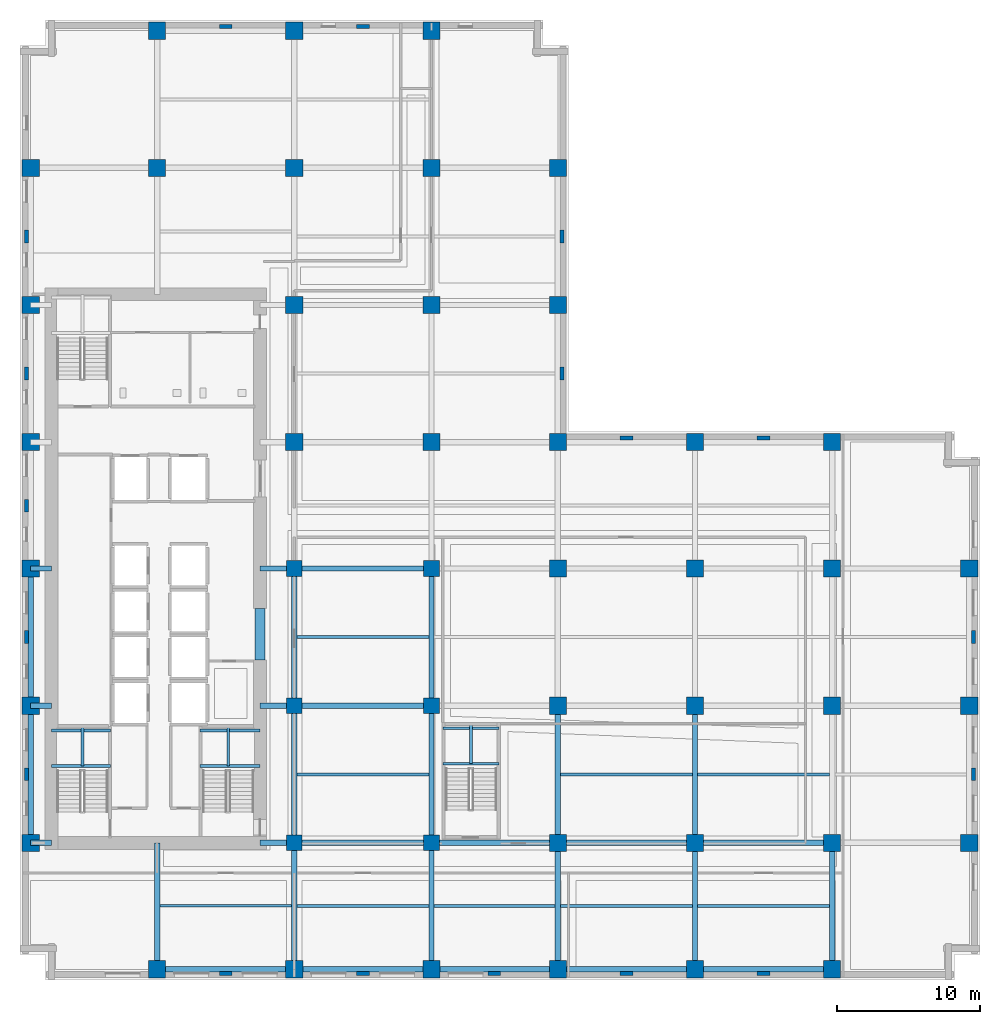
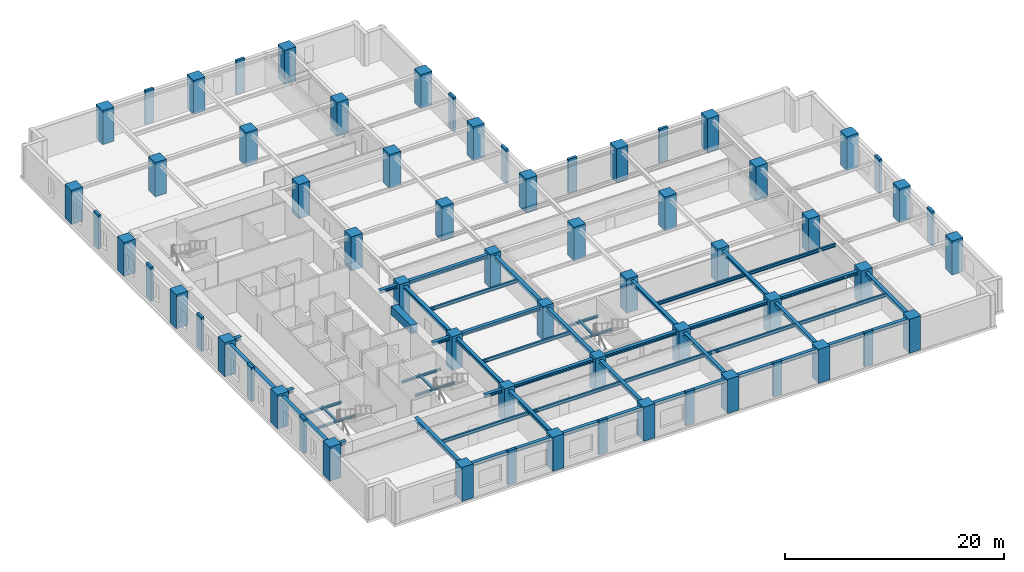
# One storey, part 1 of 13: 63 columns, 50 beams.
"""IFC4 building model written with IfcOpenShell, lengths in metres."""

from ifc_helpers import new_model, si_unit, direction, frame, origin, origin_2d, place, context, subcontext, project, spatial, rectangle, i_section, extrude, material, material_profile, profile_set, type_object, element, save


model = new_model("IFC4")

# Units and contexts
model_context = context("Model", 3, precision=1e-05, world=origin(), true_north=direction((0.0, 1.0)))
body_context = subcontext(model_context, "Body", "Model", "MODEL_VIEW")
ifc_project = project(units=[si_unit("LENGTHUNIT", "METRE"), si_unit("AREAUNIT", "SQUARE_METRE"), si_unit("VOLUMEUNIT", "CUBIC_METRE"), si_unit("PLANEANGLEUNIT", "RADIAN"), si_unit("MASSUNIT", "GRAM", prefix="KILO")], contexts=[model_context])

# Site, building, storey
site_placement = place(None, origin())
site = spatial("IfcSite", under=ifc_project, at=site_placement, CompositionType="ELEMENT")
building_placement = place(site_placement, origin())
building = spatial("IfcBuilding", under=site, at=building_placement, Name="Norrvale University Quadrangle", CompositionType="ELEMENT")
storey_placement = place(building_placement, frame((0.0, 0.0, 47.0)))
storey = spatial("IfcBuildingStorey", under=building, at=storey_placement, Name="L11", CompositionType="ELEMENT", Elevation=47.0)

# Columns
ifc_material_1 = material(Name="Buff Brick Concrete C60/75", Category="concrete")
ifc_material_profile_1 = material_profile(ifc_material_1, rectangle(XDim=0.89990234375, YDim=0.280029296875, at=origin_2d()), Name="Buff Brick Concrete C60/75")
ifc_profile_set_1 = profile_set([ifc_material_profile_1], Name="Buff Brick Concrete C60/75")
column_type_1 = type_object("IfcColumnType", Name="Column Buff Pier 900x280", PredefinedType="PILASTER", material=ifc_profile_set_1)
for number, where, z_axis, x_axis, name in (
    (1, (0.449951171875, 14.39990234375, 0.0), (0.0, 0.0, 1.0), (0.0, 1.0, 0.0), "Exterior Brick Facade Pilaster L11-01"),
    (2, (0.449951171875, 24.0, 0.0), (0.0, 0.0, 1.0), (0.0, 1.0, 0.0), "Exterior Brick Facade Pilaster L11-02"),
    (3, (0.449951171875, 33.199951171875, 0.0), (0.0, 0.0, 1.0), (0.0, 1.0, 0.0), "Exterior Brick Facade Pilaster L11-03"),
    (4, (0.449951171875, 42.449951171875, 0.0), (0.0, 0.0, 1.0), (0.0, 1.0, 0.0), "Exterior Brick Facade Pilaster L11-04"),
    (5, (0.449951171875, 52.050048828125, 0.0), (0.0, 0.0, 1.0), (0.0, 1.0, 0.0), "Exterior Brick Facade Pilaster L11-05"),
    (6, (14.39990234375, 0.449951171875, 0.0), (0.0, 0.0, 1.0), (1.0, 0.0, 0.0), "Exterior Brick Facade Pilaster L11-06"),
    (7, (24.0, 0.449951171875, 0.0), (0.0, 0.0, 1.0), (1.0, 0.0, 0.0), "Exterior Brick Facade Pilaster L11-07"),
    (8, (33.199951171875, 0.449951171875, 0.0), (0.0, 0.0, 1.0), (1.0, 0.0, 0.0), "Exterior Brick Facade Pilaster L11-08"),
    (9, (42.449951171875, 0.449951171875, 0.0), (0.0, 0.0, 1.0), (1.0, 0.0, 0.0), "Exterior Brick Facade Pilaster L11-09"),
    (10, (52.050048828125, 0.449951171875, 0.0), (0.0, 0.0, 1.0), (1.0, 0.0, 0.0), "Exterior Brick Facade Pilaster L11-10"),
    (11, (66.75, 14.39990234375, 0.0), (0.0, 0.0, 1.0), (0.0, 1.0, 0.0), "Exterior Brick Facade Pilaster L11-11"),
    (12, (66.75, 24.0, 0.0), (0.0, 0.0, 1.0), (0.0, 1.0, 0.0), "Exterior Brick Facade Pilaster L11-12"),
    (13, (14.39990234375, 66.75, 0.0), (0.0, 0.0, 1.0), (1.0, 0.0, 0.0), "Exterior Brick Facade Pilaster L11-13"),
    (14, (24.0, 66.75, 0.0), (0.0, 0.0, 1.0), (1.0, 0.0, 0.0), "Exterior Brick Facade Pilaster L11-14"),
    (15, (37.949951171875, 42.449951171875, 0.0), (0.0, 0.0, 1.0), (0.0, 1.0, 0.0), "Exterior Brick Facade Pilaster L11-15"),
    (16, (37.949951171875, 52.050048828125, 0.0), (0.0, 0.0, 1.0), (0.0, 1.0, 0.0), "Exterior Brick Facade Pilaster L11-16"),
    (17, (42.449951171875, 37.949951171875, 0.0), (0.0, 0.0, 1.0), (1.0, 0.0, 0.0), "Exterior Brick Facade Pilaster L11-17"),
    (18, (52.050048828125, 37.949951171875, 0.0), (0.0, 0.0, 1.0), (1.0, 0.0, 0.0), "Exterior Brick Facade Pilaster L11-18"),
):
    element("IfcColumn", number, at=place(storey_placement, frame(where, z_axis=z_axis, x_axis=x_axis)), inside=storey, type_object=column_type_1, Name=name, PredefinedType="PILASTER", context=body_context, shape_type="SweptSolid", body=[
        extrude(rectangle(XDim=0.89990234375, YDim=0.280029296875, at=origin_2d()), origin(), (0.0, 0.0, 1.0), 3.800048828125),
    ])
ifc_material_2 = material(Name="Concrete C80/95", Category="concrete")
ifc_material_profile_2 = material_profile(ifc_material_2, rectangle(XDim=1.10009765625, YDim=1.10009765625, at=origin_2d()), Name="Concrete C80/95")
ifc_profile_set_2 = profile_set([ifc_material_profile_2], Name="Concrete C80/95")
column_type_2 = type_object("IfcColumnType", Name="Column Tower Z1 1100x1100", PredefinedType="COLUMN", material=ifc_profile_set_2)
for number, where, z_axis, x_axis, name in (
    (19, (19.199951171875, 9.60009765625, 0.0), (0.0, 0.0, 1.0), (1.0, 0.0, 0.0), "Tower Column L11-T11"),
    (20, (19.199951171875, 19.199951171875, 0.0), (0.0, 0.0, 1.0), (1.0, 0.0, 0.0), "Tower Column L11-T12"),
    (21, (19.199951171875, 28.800048828125, 0.0), (0.0, 0.0, 1.0), (1.0, 0.0, 0.0), "Tower Column L11-T13"),
    (22, (28.800048828125, 9.60009765625, 0.0), (0.0, 0.0, 1.0), (1.0, 0.0, 0.0), "Tower Column L11-T19"),
    (23, (28.800048828125, 19.199951171875, 0.0), (0.0, 0.0, 1.0), (1.0, 0.0, 0.0), "Tower Column L11-T20"),
    (24, (28.800048828125, 28.800048828125, 0.0), (0.0, 0.0, 1.0), (1.0, 0.0, 0.0), "Tower Column L11-T21"),
):
    element("IfcColumn", number, at=place(storey_placement, frame(where, z_axis=z_axis, x_axis=x_axis)), inside=storey, type_object=column_type_2, Name=name, PredefinedType="COLUMN", context=body_context, shape_type="SweptSolid", body=[
        extrude(rectangle(XDim=1.10009765625, YDim=1.10009765625, at=origin_2d()), origin(), (0.0, 0.0, 1.0), 3.800048828125),
    ])
ifc_material_profile_3 = material_profile(ifc_material_2, rectangle(XDim=1.199951171875, YDim=1.199951171875, at=origin_2d()), Name="Concrete C80/95")
ifc_profile_set_3 = profile_set([ifc_material_profile_3], Name="Concrete C80/95")
column_type_3 = type_object("IfcColumnType", Name="Column Tower Z1 1200x1200", PredefinedType="COLUMN", material=ifc_profile_set_3)
for number, where, z_axis, x_axis, name in (
    (25, (0.75, 9.60009765625, 0.0), (0.0, 0.0, 1.0), (1.0, 0.0, 0.0), "Tower Column L11-T01"),
    (26, (0.75, 19.199951171875, 0.0), (0.0, 0.0, 1.0), (1.0, 0.0, 0.0), "Tower Column L11-T02"),
    (27, (0.75, 28.800048828125, 0.0), (0.0, 0.0, 1.0), (1.0, 0.0, 0.0), "Tower Column L11-T03"),
    (28, (0.75, 37.64990234375, 0.0), (0.0, 0.0, 1.0), (1.0, 0.0, 0.0), "Tower Column L11-T04"),
    (29, (0.75, 47.25, 0.0), (0.0, 0.0, 1.0), (1.0, 0.0, 0.0), "Tower Column L11-T05"),
    (30, (0.75, 56.85009765625, 0.0), (0.0, 0.0, 1.0), (1.0, 0.0, 0.0), "Tower Column L11-T06"),
    (31, (9.60009765625, 0.75, 0.0), (0.0, 0.0, 1.0), (1.0, 0.0, 0.0), "Tower Column L11-T07"),
    (32, (9.60009765625, 56.85009765625, 0.0), (0.0, 0.0, 1.0), (1.0, 0.0, 0.0), "Tower Column L11-T08"),
    (33, (9.60009765625, 66.449951171875, 0.0), (0.0, 0.0, 1.0), (1.0, 0.0, 0.0), "Tower Column L11-T09"),
    (34, (19.199951171875, 0.75, 0.0), (0.0, 0.0, 1.0), (1.0, 0.0, 0.0), "Tower Column L11-T10"),
    (35, (19.199951171875, 37.64990234375, 0.0), (0.0, 0.0, 1.0), (1.0, 0.0, 0.0), "Tower Column L11-T14"),
    (36, (19.199951171875, 47.25, 0.0), (0.0, 0.0, 1.0), (1.0, 0.0, 0.0), "Tower Column L11-T15"),
    (37, (19.199951171875, 56.85009765625, 0.0), (0.0, 0.0, 1.0), (1.0, 0.0, 0.0), "Tower Column L11-T16"),
    (38, (19.199951171875, 66.449951171875, 0.0), (0.0, 0.0, 1.0), (1.0, 0.0, 0.0), "Tower Column L11-T17"),
    (39, (28.800048828125, 0.75, 0.0), (0.0, 0.0, 1.0), (1.0, 0.0, 0.0), "Tower Column L11-T18"),
    (40, (28.800048828125, 37.64990234375, 0.0), (0.0, 0.0, 1.0), (1.0, 0.0, 0.0), "Tower Column L11-T22"),
    (41, (28.800048828125, 47.25, 0.0), (0.0, 0.0, 1.0), (1.0, 0.0, 0.0), "Tower Column L11-T23"),
    (42, (28.800048828125, 56.85009765625, 0.0), (0.0, 0.0, 1.0), (1.0, 0.0, 0.0), "Tower Column L11-T24"),
    (43, (28.800048828125, 66.449951171875, 0.0), (0.0, 0.0, 1.0), (1.0, 0.0, 0.0), "Tower Column L11-T25"),
    (44, (37.64990234375, 0.75, 0.0), (0.0, 0.0, 1.0), (1.0, 0.0, 0.0), "Tower Column L11-T26"),
    (45, (37.64990234375, 9.60009765625, 0.0), (0.0, 0.0, 1.0), (1.0, 0.0, 0.0), "Tower Column L11-T27"),
    (46, (37.64990234375, 19.199951171875, 0.0), (0.0, 0.0, 1.0), (1.0, 0.0, 0.0), "Tower Column L11-T28"),
    (47, (37.64990234375, 28.800048828125, 0.0), (0.0, 0.0, 1.0), (1.0, 0.0, 0.0), "Tower Column L11-T29"),
    (48, (37.64990234375, 37.64990234375, 0.0), (0.0, 0.0, 1.0), (1.0, 0.0, 0.0), "Tower Column L11-T30"),
    (49, (37.64990234375, 47.25, 0.0), (0.0, 0.0, 1.0), (1.0, 0.0, 0.0), "Tower Column L11-T31"),
    (50, (37.64990234375, 56.85009765625, 0.0), (0.0, 0.0, 1.0), (1.0, 0.0, 0.0), "Tower Column L11-T32"),
    (51, (47.25, 0.75, 0.0), (0.0, 0.0, 1.0), (1.0, 0.0, 0.0), "Tower Column L11-T33"),
    (52, (47.25, 9.60009765625, 0.0), (0.0, 0.0, 1.0), (1.0, 0.0, 0.0), "Tower Column L11-T34"),
    (53, (47.25, 19.199951171875, 0.0), (0.0, 0.0, 1.0), (1.0, 0.0, 0.0), "Tower Column L11-T35"),
    (54, (47.25, 28.800048828125, 0.0), (0.0, 0.0, 1.0), (1.0, 0.0, 0.0), "Tower Column L11-T36"),
    (55, (47.25, 37.64990234375, 0.0), (0.0, 0.0, 1.0), (1.0, 0.0, 0.0), "Tower Column L11-T37"),
    (56, (56.85009765625, 0.75, 0.0), (0.0, 0.0, 1.0), (1.0, 0.0, 0.0), "Tower Column L11-T38"),
    (57, (56.85009765625, 9.60009765625, 0.0), (0.0, 0.0, 1.0), (1.0, 0.0, 0.0), "Tower Column L11-T39"),
    (58, (56.85009765625, 19.199951171875, 0.0), (0.0, 0.0, 1.0), (1.0, 0.0, 0.0), "Tower Column L11-T40"),
    (59, (56.85009765625, 28.800048828125, 0.0), (0.0, 0.0, 1.0), (1.0, 0.0, 0.0), "Tower Column L11-T41"),
    (60, (56.85009765625, 37.64990234375, 0.0), (0.0, 0.0, 1.0), (1.0, 0.0, 0.0), "Tower Column L11-T42"),
    (61, (66.449951171875, 9.60009765625, 0.0), (0.0, 0.0, 1.0), (1.0, 0.0, 0.0), "Tower Column L11-T43"),
    (62, (66.449951171875, 19.199951171875, 0.0), (0.0, 0.0, 1.0), (1.0, 0.0, 0.0), "Tower Column L11-T44"),
    (63, (66.449951171875, 28.800048828125, 0.0), (0.0, 0.0, 1.0), (1.0, 0.0, 0.0), "Tower Column L11-T45"),
):
    element("IfcColumn", number, at=place(storey_placement, frame(where, z_axis=z_axis, x_axis=x_axis)), inside=storey, type_object=column_type_3, Name=name, PredefinedType="COLUMN", context=body_context, shape_type="SweptSolid", body=[
        extrude(rectangle(XDim=1.199951171875, YDim=1.199951171875, at=origin_2d()), origin(), (0.0, 0.0, 1.0), 3.800048828125),
    ])

# Beams
ifc_material_profile_4 = material_profile(ifc_material_2, rectangle(XDim=0.699951171875, YDim=0.949951171875, at=origin_2d()), Name="Concrete C80/95")
ifc_profile_set_4 = profile_set([ifc_material_profile_4], Name="Concrete C80/95")
beam_type_1 = type_object("IfcBeamType", Name="Beam Core Link 700x950", PredefinedType="LINTEL", material=ifc_profile_set_4)
beam_1_placement = place(storey_placement, frame((16.800048828125, 22.39990234375, 3.06494140625), z_axis=(0.0, 1.0, 0.0), x_axis=(-1.0, 0.0, 0.0)))
element("IfcBeam", 64, at=beam_1_placement, inside=storey, type_object=beam_type_1, Name="Core Coupling Lintel Beam L11-1", PredefinedType="LINTEL", context=body_context, shape_type="SweptSolid", body=[
    extrude(rectangle(XDim=0.699951171875, YDim=0.949951171875, at=origin_2d()), origin(), (0.0, 0.0, 1.0), 3.60009765625),
])
ifc_material_3 = material(Name="Steel 350W", Category="steel")
ifc_material_profile_5 = material_profile(ifc_material_3, i_section(OverallWidth=0.368896484375, OverallDepth=0.35595703125, WebThickness=0.01123046875, FlangeThickness=0.01806640625, FilletRadius=0.014892578125, at=origin_2d()), Name="Steel 350W")
ifc_profile_set_5 = profile_set([ifc_material_profile_5], Name="Steel 350W")
beam_type_2 = type_object("IfcBeamType", Name="Beam Crown W360x134", PredefinedType="BEAM", material=ifc_profile_set_5)
beam_2_placement = place(storey_placement, frame((9.60009765625, 0.75, 3.362060546875), z_axis=(1.0, 0.0, 0.0), x_axis=(0.0, 1.0, 0.0)))
element("IfcBeam", 65, at=beam_2_placement, inside=storey, type_object=beam_type_2, Name="Beam Crown W360x134 BM-L11-GX001", PredefinedType="BEAM", context=body_context, shape_type="SweptSolid", body=[
    extrude(i_section(OverallWidth=0.368896484375, OverallDepth=0.35595703125, WebThickness=0.01123046875, FlangeThickness=0.01806640625, FilletRadius=0.014892578125, at=origin_2d()), origin(), (0.0, 0.0, 1.0), 9.599853515625),
])
beam_3_placement = place(storey_placement, frame((19.199951171875, 0.75, 3.362060546875), z_axis=(1.0, 0.0, 0.0), x_axis=(0.0, 1.0, 0.0)))
element("IfcBeam", 66, at=beam_3_placement, inside=storey, type_object=beam_type_2, Name="Beam Crown W360x134 BM-L11-GX002", PredefinedType="BEAM", context=body_context, shape_type="SweptSolid", body=[
    extrude(i_section(OverallWidth=0.368896484375, OverallDepth=0.35595703125, WebThickness=0.01123046875, FlangeThickness=0.01806640625, FilletRadius=0.014892578125, at=origin_2d()), origin(), (0.0, 0.0, 1.0), 9.60009765625),
])
beam_4_placement = place(storey_placement, frame((28.800048828125, 0.75, 3.362060546875), z_axis=(1.0, 0.0, 0.0), x_axis=(0.0, 1.0, 0.0)))
element("IfcBeam", 67, at=beam_4_placement, inside=storey, type_object=beam_type_2, Name="Beam Crown W360x134 BM-L11-GX003", PredefinedType="BEAM", context=body_context, shape_type="SweptSolid", body=[
    extrude(i_section(OverallWidth=0.368896484375, OverallDepth=0.35595703125, WebThickness=0.01123046875, FlangeThickness=0.01806640625, FilletRadius=0.014892578125, at=origin_2d()), origin(), (0.0, 0.0, 1.0), 8.849853515625),
])
for number, where, z_axis, x_axis, name in (
    (68, (37.64990234375, 0.75, 3.362060546875), (1.0, 0.0, 0.0), (0.0, 1.0, 0.0), "Beam Crown W360x134 BM-L11-GX004"),
    (69, (47.25, 0.75, 3.362060546875), (1.0, 0.0, 0.0), (0.0, 1.0, 0.0), "Beam Crown W360x134 BM-L11-GX005"),
    (70, (19.199951171875, 9.60009765625, 3.362060546875), (1.0, 0.0, 0.0), (0.0, 1.0, 0.0), "Beam Crown W360x134 BM-L11-GX006"),
):
    element("IfcBeam", number, at=place(storey_placement, frame(where, z_axis=z_axis, x_axis=x_axis)), inside=storey, type_object=beam_type_2, Name=name, PredefinedType="BEAM", context=body_context, shape_type="SweptSolid", body=[
        extrude(i_section(OverallWidth=0.368896484375, OverallDepth=0.35595703125, WebThickness=0.01123046875, FlangeThickness=0.01806640625, FilletRadius=0.014892578125, at=origin_2d()), origin(), (0.0, 0.0, 1.0), 9.60009765625),
    ])
beam_5_placement = place(storey_placement, frame((28.800048828125, 9.60009765625, 3.362060546875), z_axis=(1.0, 0.0, 0.0), x_axis=(0.0, 1.0, 0.0)))
element("IfcBeam", 71, at=beam_5_placement, inside=storey, type_object=beam_type_2, Name="Beam Crown W360x134 BM-L11-GX007", PredefinedType="BEAM", context=body_context, shape_type="SweptSolid", body=[
    extrude(i_section(OverallWidth=0.368896484375, OverallDepth=0.35595703125, WebThickness=0.01123046875, FlangeThickness=0.01806640625, FilletRadius=0.014892578125, at=origin_2d()), origin(), (0.0, 0.0, 1.0), 8.849853515625),
])
for number, where, z_axis, x_axis, name in (
    (72, (37.64990234375, 9.60009765625, 3.362060546875), (1.0, 0.0, 0.0), (0.0, 1.0, 0.0), "Beam Crown W360x134 BM-L11-GX008"),
    (73, (47.25, 9.60009765625, 3.362060546875), (1.0, 0.0, 0.0), (0.0, 1.0, 0.0), "Beam Crown W360x134 BM-L11-GX009"),
    (74, (19.199951171875, 19.199951171875, 3.362060546875), (1.0, 0.0, 0.0), (0.0, 1.0, 0.0), "Beam Crown W360x134 BM-L11-GX011"),
    (75, (19.199951171875, 28.800048828125, 3.362060546875), (1.0, 0.0, 0.0), (0.0, 1.0, 0.0), "Beam Crown W360x134 BM-L11-GX016"),
):
    element("IfcBeam", number, at=place(storey_placement, frame(where, z_axis=z_axis, x_axis=x_axis)), inside=storey, type_object=beam_type_2, Name=name, PredefinedType="BEAM", context=body_context, shape_type="SweptSolid", body=[
        extrude(i_section(OverallWidth=0.368896484375, OverallDepth=0.35595703125, WebThickness=0.01123046875, FlangeThickness=0.01806640625, FilletRadius=0.014892578125, at=origin_2d()), origin(), (0.0, 0.0, 1.0), 9.60009765625),
    ])
beam_6_placement = place(storey_placement, frame((0.75, 9.60009765625, 3.362060546875), z_axis=(0.0, 1.0, 0.0), x_axis=(-1.0, 0.0, 0.0)))
element("IfcBeam", 76, at=beam_6_placement, inside=storey, type_object=beam_type_2, Name="Beam Crown W360x134 BM-L11-GY033", PredefinedType="BEAM", context=body_context, shape_type="SweptSolid", body=[
    extrude(i_section(OverallWidth=0.368896484375, OverallDepth=0.35595703125, WebThickness=0.01123046875, FlangeThickness=0.01806640625, FilletRadius=0.014892578125, at=origin_2d()), origin(), (0.0, 0.0, 1.0), 9.599853515625),
])
beam_7_placement = place(storey_placement, frame((0.75, 19.199951171875, 3.362060546875), z_axis=(0.0, 1.0, 0.0), x_axis=(-1.0, 0.0, 0.0)))
element("IfcBeam", 77, at=beam_7_placement, inside=storey, type_object=beam_type_2, Name="Beam Crown W360x134 BM-L11-GY034", PredefinedType="BEAM", context=body_context, shape_type="SweptSolid", body=[
    extrude(i_section(OverallWidth=0.368896484375, OverallDepth=0.35595703125, WebThickness=0.01123046875, FlangeThickness=0.01806640625, FilletRadius=0.014892578125, at=origin_2d()), origin(), (0.0, 0.0, 1.0), 9.60009765625),
])
beam_8_placement = place(storey_placement, frame((19.199951171875, 0.75, 3.362060546875), z_axis=(0.0, 1.0, 0.0), x_axis=(-1.0, 0.0, 0.0)))
element("IfcBeam", 78, at=beam_8_placement, inside=storey, type_object=beam_type_2, Name="Beam Crown W360x134 BM-L11-GY039", PredefinedType="BEAM", context=body_context, shape_type="SweptSolid", body=[
    extrude(i_section(OverallWidth=0.368896484375, OverallDepth=0.35595703125, WebThickness=0.01123046875, FlangeThickness=0.01806640625, FilletRadius=0.014892578125, at=origin_2d()), origin(), (0.0, 0.0, 1.0), 8.85009765625),
])
beam_9_placement = place(storey_placement, frame((19.199951171875, 9.60009765625, 3.362060546875), z_axis=(0.0, 1.0, 0.0), x_axis=(-1.0, 0.0, 0.0)))
element("IfcBeam", 79, at=beam_9_placement, inside=storey, type_object=beam_type_2, Name="Beam Crown W360x134 BM-L11-GY040", PredefinedType="BEAM", context=body_context, shape_type="SweptSolid", body=[
    extrude(i_section(OverallWidth=0.368896484375, OverallDepth=0.35595703125, WebThickness=0.01123046875, FlangeThickness=0.01806640625, FilletRadius=0.014892578125, at=origin_2d()), origin(), (0.0, 0.0, 1.0), 9.599853515625),
])
beam_10_placement = place(storey_placement, frame((19.199951171875, 19.199951171875, 3.362060546875), z_axis=(0.0, 1.0, 0.0), x_axis=(-1.0, 0.0, 0.0)))
element("IfcBeam", 80, at=beam_10_placement, inside=storey, type_object=beam_type_2, Name="Beam Crown W360x134 BM-L11-GY041", PredefinedType="BEAM", context=body_context, shape_type="SweptSolid", body=[
    extrude(i_section(OverallWidth=0.368896484375, OverallDepth=0.35595703125, WebThickness=0.01123046875, FlangeThickness=0.01806640625, FilletRadius=0.014892578125, at=origin_2d()), origin(), (0.0, 0.0, 1.0), 9.60009765625),
])
beam_11_placement = place(storey_placement, frame((28.800048828125, 0.75, 3.362060546875), z_axis=(0.0, 1.0, 0.0), x_axis=(-1.0, 0.0, 0.0)))
element("IfcBeam", 81, at=beam_11_placement, inside=storey, type_object=beam_type_2, Name="Beam Crown W360x134 BM-L11-GY046", PredefinedType="BEAM", context=body_context, shape_type="SweptSolid", body=[
    extrude(i_section(OverallWidth=0.368896484375, OverallDepth=0.35595703125, WebThickness=0.01123046875, FlangeThickness=0.01806640625, FilletRadius=0.014892578125, at=origin_2d()), origin(), (0.0, 0.0, 1.0), 8.85009765625),
])
beam_12_placement = place(storey_placement, frame((28.800048828125, 9.60009765625, 3.362060546875), z_axis=(0.0, 1.0, 0.0), x_axis=(-1.0, 0.0, 0.0)))
element("IfcBeam", 82, at=beam_12_placement, inside=storey, type_object=beam_type_2, Name="Beam Crown W360x134 BM-L11-GY047", PredefinedType="BEAM", context=body_context, shape_type="SweptSolid", body=[
    extrude(i_section(OverallWidth=0.368896484375, OverallDepth=0.35595703125, WebThickness=0.01123046875, FlangeThickness=0.01806640625, FilletRadius=0.014892578125, at=origin_2d()), origin(), (0.0, 0.0, 1.0), 9.599853515625),
])
beam_13_placement = place(storey_placement, frame((28.800048828125, 19.199951171875, 3.362060546875), z_axis=(0.0, 1.0, 0.0), x_axis=(-1.0, 0.0, 0.0)))
element("IfcBeam", 83, at=beam_13_placement, inside=storey, type_object=beam_type_2, Name="Beam Crown W360x134 BM-L11-GY048", PredefinedType="BEAM", context=body_context, shape_type="SweptSolid", body=[
    extrude(i_section(OverallWidth=0.368896484375, OverallDepth=0.35595703125, WebThickness=0.01123046875, FlangeThickness=0.01806640625, FilletRadius=0.014892578125, at=origin_2d()), origin(), (0.0, 0.0, 1.0), 9.60009765625),
])
beam_14_placement = place(storey_placement, frame((37.64990234375, 0.75, 3.362060546875), z_axis=(0.0, 1.0, 0.0), x_axis=(-1.0, 0.0, 0.0)))
element("IfcBeam", 84, at=beam_14_placement, inside=storey, type_object=beam_type_2, Name="Beam Crown W360x134 BM-L11-GY053", PredefinedType="BEAM", context=body_context, shape_type="SweptSolid", body=[
    extrude(i_section(OverallWidth=0.368896484375, OverallDepth=0.35595703125, WebThickness=0.01123046875, FlangeThickness=0.01806640625, FilletRadius=0.014892578125, at=origin_2d()), origin(), (0.0, 0.0, 1.0), 8.85009765625),
])
beam_15_placement = place(storey_placement, frame((37.64990234375, 9.60009765625, 3.362060546875), z_axis=(0.0, 1.0, 0.0), x_axis=(-1.0, 0.0, 0.0)))
element("IfcBeam", 85, at=beam_15_placement, inside=storey, type_object=beam_type_2, Name="Beam Crown W360x134 BM-L11-GY054", PredefinedType="BEAM", context=body_context, shape_type="SweptSolid", body=[
    extrude(i_section(OverallWidth=0.368896484375, OverallDepth=0.35595703125, WebThickness=0.01123046875, FlangeThickness=0.01806640625, FilletRadius=0.014892578125, at=origin_2d()), origin(), (0.0, 0.0, 1.0), 9.599853515625),
])
beam_16_placement = place(storey_placement, frame((47.25, 0.75, 3.362060546875), z_axis=(0.0, 1.0, 0.0), x_axis=(-1.0, 0.0, 0.0)))
element("IfcBeam", 86, at=beam_16_placement, inside=storey, type_object=beam_type_2, Name="Beam Crown W360x134 BM-L11-GY059", PredefinedType="BEAM", context=body_context, shape_type="SweptSolid", body=[
    extrude(i_section(OverallWidth=0.368896484375, OverallDepth=0.35595703125, WebThickness=0.01123046875, FlangeThickness=0.01806640625, FilletRadius=0.014892578125, at=origin_2d()), origin(), (0.0, 0.0, 1.0), 8.85009765625),
])
beam_17_placement = place(storey_placement, frame((47.25, 9.60009765625, 3.362060546875), z_axis=(0.0, 1.0, 0.0), x_axis=(-1.0, 0.0, 0.0)))
element("IfcBeam", 87, at=beam_17_placement, inside=storey, type_object=beam_type_2, Name="Beam Crown W360x134 BM-L11-GY060", PredefinedType="BEAM", context=body_context, shape_type="SweptSolid", body=[
    extrude(i_section(OverallWidth=0.368896484375, OverallDepth=0.35595703125, WebThickness=0.01123046875, FlangeThickness=0.01806640625, FilletRadius=0.014892578125, at=origin_2d()), origin(), (0.0, 0.0, 1.0), 9.599853515625),
])
beam_18_placement = place(storey_placement, frame((56.85009765625, 0.75, 3.362060546875), z_axis=(0.0, 1.0, 0.0), x_axis=(-1.0, 0.0, 0.0)))
element("IfcBeam", 88, at=beam_18_placement, inside=storey, type_object=beam_type_2, Name="Beam Crown W360x134 BM-L11-GY063", PredefinedType="BEAM", context=body_context, shape_type="SweptSolid", body=[
    extrude(i_section(OverallWidth=0.368896484375, OverallDepth=0.35595703125, WebThickness=0.01123046875, FlangeThickness=0.01806640625, FilletRadius=0.014892578125, at=origin_2d()), origin(), (0.0, 0.0, 1.0), 8.85009765625),
])
beam_19_placement = place(storey_placement, frame((0.75, 9.60009765625, 3.362060546875), z_axis=(1.0, 0.0, 0.0), x_axis=(0.0, 1.0, 0.0)))
element("IfcBeam", 89, at=beam_19_placement, inside=storey, type_object=beam_type_2, Name="Beam Crown W360x134 BM-L11-GCW069", PredefinedType="BEAM", context=body_context, shape_type="SweptSolid", body=[
    extrude(i_section(OverallWidth=0.368896484375, OverallDepth=0.35595703125, WebThickness=0.01123046875, FlangeThickness=0.01806640625, FilletRadius=0.014892578125, at=origin_2d()), origin(), (0.0, 0.0, 1.0), 1.449951171875),
])
beam_20_placement = place(storey_placement, frame((16.800048828125, 9.60009765625, 3.362060546875), z_axis=(1.0, 0.0, 0.0), x_axis=(0.0, 1.0, 0.0)))
element("IfcBeam", 90, at=beam_20_placement, inside=storey, type_object=beam_type_2, Name="Beam Crown W360x134 BM-L11-GCE070", PredefinedType="BEAM", context=body_context, shape_type="SweptSolid", body=[
    extrude(i_section(OverallWidth=0.368896484375, OverallDepth=0.35595703125, WebThickness=0.01123046875, FlangeThickness=0.01806640625, FilletRadius=0.014892578125, at=origin_2d()), origin(), (0.0, 0.0, 1.0), 2.39990234375),
])
beam_21_placement = place(storey_placement, frame((0.75, 19.199951171875, 3.362060546875), z_axis=(1.0, 0.0, 0.0), x_axis=(0.0, 1.0, 0.0)))
element("IfcBeam", 91, at=beam_21_placement, inside=storey, type_object=beam_type_2, Name="Beam Crown W360x134 BM-L11-GCW071", PredefinedType="BEAM", context=body_context, shape_type="SweptSolid", body=[
    extrude(i_section(OverallWidth=0.368896484375, OverallDepth=0.35595703125, WebThickness=0.01123046875, FlangeThickness=0.01806640625, FilletRadius=0.014892578125, at=origin_2d()), origin(), (0.0, 0.0, 1.0), 1.449951171875),
])
beam_22_placement = place(storey_placement, frame((16.800048828125, 19.199951171875, 3.362060546875), z_axis=(1.0, 0.0, 0.0), x_axis=(0.0, 1.0, 0.0)))
element("IfcBeam", 92, at=beam_22_placement, inside=storey, type_object=beam_type_2, Name="Beam Crown W360x134 BM-L11-GCE072", PredefinedType="BEAM", context=body_context, shape_type="SweptSolid", body=[
    extrude(i_section(OverallWidth=0.368896484375, OverallDepth=0.35595703125, WebThickness=0.01123046875, FlangeThickness=0.01806640625, FilletRadius=0.014892578125, at=origin_2d()), origin(), (0.0, 0.0, 1.0), 2.39990234375),
])
beam_23_placement = place(storey_placement, frame((0.75, 28.800048828125, 3.362060546875), z_axis=(1.0, 0.0, 0.0), x_axis=(0.0, 1.0, 0.0)))
element("IfcBeam", 93, at=beam_23_placement, inside=storey, type_object=beam_type_2, Name="Beam Crown W360x134 BM-L11-GCW073", PredefinedType="BEAM", context=body_context, shape_type="SweptSolid", body=[
    extrude(i_section(OverallWidth=0.368896484375, OverallDepth=0.35595703125, WebThickness=0.01123046875, FlangeThickness=0.01806640625, FilletRadius=0.014892578125, at=origin_2d()), origin(), (0.0, 0.0, 1.0), 1.449951171875),
])
beam_24_placement = place(storey_placement, frame((16.800048828125, 28.800048828125, 3.362060546875), z_axis=(1.0, 0.0, 0.0), x_axis=(0.0, 1.0, 0.0)))
element("IfcBeam", 94, at=beam_24_placement, inside=storey, type_object=beam_type_2, Name="Beam Crown W360x134 BM-L11-GCE074", PredefinedType="BEAM", context=body_context, shape_type="SweptSolid", body=[
    extrude(i_section(OverallWidth=0.368896484375, OverallDepth=0.35595703125, WebThickness=0.01123046875, FlangeThickness=0.01806640625, FilletRadius=0.014892578125, at=origin_2d()), origin(), (0.0, 0.0, 1.0), 2.39990234375),
])
beam_25_placement = place(storey_placement, frame((9.60009765625, 0.75, 3.362060546875), z_axis=(0.0, 1.0, 0.0), x_axis=(-1.0, 0.0, 0.0)))
element("IfcBeam", 95, at=beam_25_placement, inside=storey, type_object=beam_type_2, Name="Beam Crown W360x134 BM-L11-GCS102", PredefinedType="BEAM", context=body_context, shape_type="SweptSolid", body=[
    extrude(i_section(OverallWidth=0.368896484375, OverallDepth=0.35595703125, WebThickness=0.01123046875, FlangeThickness=0.01806640625, FilletRadius=0.014892578125, at=origin_2d()), origin(), (0.0, 0.0, 1.0), 8.85009765625),
])
ifc_material_profile_6 = material_profile(ifc_material_3, i_section(OverallWidth=0.205078125, OverallDepth=0.35400390625, WebThickness=0.009521484375, FlangeThickness=0.016845703125, FilletRadius=0.011962890625, at=origin_2d()), Name="Steel 350W")
ifc_profile_set_6 = profile_set([ifc_material_profile_6], Name="Steel 350W")
beam_type_3 = type_object("IfcBeamType", Name="Beam Crown W360x79", PredefinedType="BEAM", material=ifc_profile_set_6)
for number, where, z_axis, x_axis, name in (
    (96, (19.384521484375, 5.175048828125, 3.363037109375), (1.0, 0.0, 0.0), (0.0, 1.0, 0.0), "Beam Crown W360x79 BM-L11-J080"),
    (97, (19.384521484375, 14.39990234375, 3.363037109375), (1.0, 0.0, 0.0), (0.0, 1.0, 0.0), "Beam Crown W360x79 BM-L11-J081"),
    (98, (19.384521484375, 24.0, 3.363037109375), (1.0, 0.0, 0.0), (0.0, 1.0, 0.0), "Beam Crown W360x79 BM-L11-J082"),
):
    element("IfcBeam", number, at=place(storey_placement, frame(where, z_axis=z_axis, x_axis=x_axis)), inside=storey, type_object=beam_type_3, Name=name, PredefinedType="BEAM", context=body_context, shape_type="SweptSolid", body=[
        extrude(i_section(OverallWidth=0.205078125, OverallDepth=0.35400390625, WebThickness=0.009521484375, FlangeThickness=0.016845703125, FilletRadius=0.011962890625, at=origin_2d()), origin(), (0.0, 0.0, 1.0), 9.23095703125),
    ])
beam_26_placement = place(storey_placement, frame((28.984619140625, 5.175048828125, 3.363037109375), z_axis=(1.0, 0.0, 0.0), x_axis=(0.0, 1.0, 0.0)))
element("IfcBeam", 99, at=beam_26_placement, inside=storey, type_object=beam_type_3, Name="Beam Crown W360x79 BM-L11-J087", PredefinedType="BEAM", context=body_context, shape_type="SweptSolid", body=[
    extrude(i_section(OverallWidth=0.205078125, OverallDepth=0.35400390625, WebThickness=0.009521484375, FlangeThickness=0.016845703125, FilletRadius=0.011962890625, at=origin_2d()), origin(), (0.0, 0.0, 1.0), 8.48095703125),
])
for number, where, z_axis, x_axis, name in (
    (100, (37.83447265625, 5.175048828125, 3.363037109375), (1.0, 0.0, 0.0), (0.0, 1.0, 0.0), "Beam Crown W360x79 BM-L11-J092"),
    (101, (37.83447265625, 14.39990234375, 3.363037109375), (1.0, 0.0, 0.0), (0.0, 1.0, 0.0), "Beam Crown W360x79 BM-L11-J093"),
    (102, (47.4345703125, 5.175048828125, 3.363037109375), (1.0, 0.0, 0.0), (0.0, 1.0, 0.0), "Beam Crown W360x79 BM-L11-J096"),
    (103, (47.4345703125, 14.39990234375, 3.363037109375), (1.0, 0.0, 0.0), (0.0, 1.0, 0.0), "Beam Crown W360x79 BM-L11-J097"),
    (104, (9.784423828125, 5.199951171875, 3.363037109375), (1.0, 0.0, 0.0), (0.0, 1.0, 0.0), "Beam Crown W360x79 BM-L11-JCS103"),
):
    element("IfcBeam", number, at=place(storey_placement, frame(where, z_axis=z_axis, x_axis=x_axis)), inside=storey, type_object=beam_type_3, Name=name, PredefinedType="BEAM", context=body_context, shape_type="SweptSolid", body=[
        extrude(i_section(OverallWidth=0.205078125, OverallDepth=0.35400390625, WebThickness=0.009521484375, FlangeThickness=0.016845703125, FilletRadius=0.011962890625, at=origin_2d()), origin(), (0.0, 0.0, 1.0), 9.23095703125),
    ])
ifc_material_profile_7 = material_profile(ifc_material_3, i_section(OverallWidth=0.201904296875, OverallDepth=0.2470703125, WebThickness=0.00732421875, FlangeThickness=0.010986328125, FilletRadius=0.011962890625, at=origin_2d()), Name="Steel 350W")
ifc_profile_set_7 = profile_set([ifc_material_profile_7], Name="Steel 350W")
beam_type_4 = type_object("IfcBeamType", Name="Beam Stair W250x49", PredefinedType="BEAM", material=ifc_profile_set_7)
for number, where, z_axis, x_axis, name in (
    (105, (2.199951171875, 14.989990234375, 1.576416015625), (1.0, 0.0, 0.0), (0.0, 1.0, 0.0), "Stair Mid-Landing Front Beam ST-01 L11"),
    (106, (2.199951171875, 17.469970703125, 1.576416015625), (1.0, 0.0, 0.0), (0.0, 1.0, 0.0), "Stair Mid-Landing Rear Beam ST-01 L11"),
):
    element("IfcBeam", number, at=place(storey_placement, frame(where, z_axis=z_axis, x_axis=x_axis)), inside=storey, type_object=beam_type_4, Name=name, PredefinedType="BEAM", context=body_context, shape_type="SweptSolid", body=[
        extrude(i_section(OverallWidth=0.201904296875, OverallDepth=0.2470703125, WebThickness=0.00732421875, FlangeThickness=0.010986328125, FilletRadius=0.011962890625, at=origin_2d()), origin(), (0.0, 0.0, 1.0), 4.14013671875),
    ])
for number, where, z_axis, x_axis, name in (
    (107, (12.610107421875, 14.989990234375, 1.576416015625), (1.0, 0.0, 0.0), (0.0, 1.0, 0.0), "Stair Mid-Landing Front Beam ST-03 L11"),
    (108, (12.610107421875, 17.469970703125, 1.576416015625), (1.0, 0.0, 0.0), (0.0, 1.0, 0.0), "Stair Mid-Landing Rear Beam ST-03 L11"),
):
    element("IfcBeam", number, at=place(storey_placement, frame(where, z_axis=z_axis, x_axis=x_axis)), inside=storey, type_object=beam_type_4, Name=name, PredefinedType="BEAM", context=body_context, shape_type="SweptSolid", body=[
        extrude(i_section(OverallWidth=0.201904296875, OverallDepth=0.2470703125, WebThickness=0.00732421875, FlangeThickness=0.010986328125, FilletRadius=0.011962890625, at=origin_2d()), origin(), (0.0, 0.0, 1.0), 4.18994140625),
    ])
for number, where, z_axis, x_axis, name in (
    (109, (29.610107421875, 15.139892578125, 1.576416015625), (1.0, 0.0, 0.0), (0.0, 1.0, 0.0), "Stair Mid-Landing Front Beam ST-04 L11"),
    (110, (29.610107421875, 17.6201171875, 1.576416015625), (1.0, 0.0, 0.0), (0.0, 1.0, 0.0), "Stair Mid-Landing Rear Beam ST-04 L11"),
):
    element("IfcBeam", number, at=place(storey_placement, frame(where, z_axis=z_axis, x_axis=x_axis)), inside=storey, type_object=beam_type_4, Name=name, PredefinedType="BEAM", context=body_context, shape_type="SweptSolid", body=[
        extrude(i_section(OverallWidth=0.201904296875, OverallDepth=0.2470703125, WebThickness=0.00732421875, FlangeThickness=0.010986328125, FilletRadius=0.011962890625, at=origin_2d()), origin(), (0.0, 0.0, 1.0), 3.929931640625),
    ])
ifc_material_profile_8 = material_profile(ifc_material_3, i_section(OverallWidth=0.202880859375, OverallDepth=0.202880859375, WebThickness=0.007080078125, FlangeThickness=0.010986328125, FilletRadius=0.010009765625, at=origin_2d()), Name="Steel 350W")
ifc_profile_set_8 = profile_set([ifc_material_profile_8], Name="Steel 350W")
beam_type_5 = type_object("IfcBeamType", Name="Beam Trim W200x46", PredefinedType="BEAM", material=ifc_profile_set_8)
for number, where, z_axis, x_axis, name in (
    (111, (4.375, 14.989990234375, 1.598388671875), (0.0, 1.0, 0.0), (-1.0, 0.0, 0.0), "Stair Mid-Landing Cross Beam ST-01 L11"),
    (112, (14.574951171875, 14.989990234375, 1.598388671875), (0.0, 1.0, 0.0), (-1.0, 0.0, 0.0), "Stair Mid-Landing Cross Beam ST-03 L11"),
    (113, (31.574951171875, 15.139892578125, 1.598388671875), (0.0, 1.0, 0.0), (-1.0, 0.0, 0.0), "Stair Mid-Landing Cross Beam ST-04 L11"),
):
    element("IfcBeam", number, at=place(storey_placement, frame(where, z_axis=z_axis, x_axis=x_axis)), inside=storey, type_object=beam_type_5, Name=name, PredefinedType="BEAM", context=body_context, shape_type="SweptSolid", body=[
        extrude(i_section(OverallWidth=0.202880859375, OverallDepth=0.202880859375, WebThickness=0.007080078125, FlangeThickness=0.010986328125, FilletRadius=0.010009765625, at=origin_2d()), origin(), (0.0, 0.0, 1.0), 2.800048828125),
    ])

save(model, "model.ifc")
